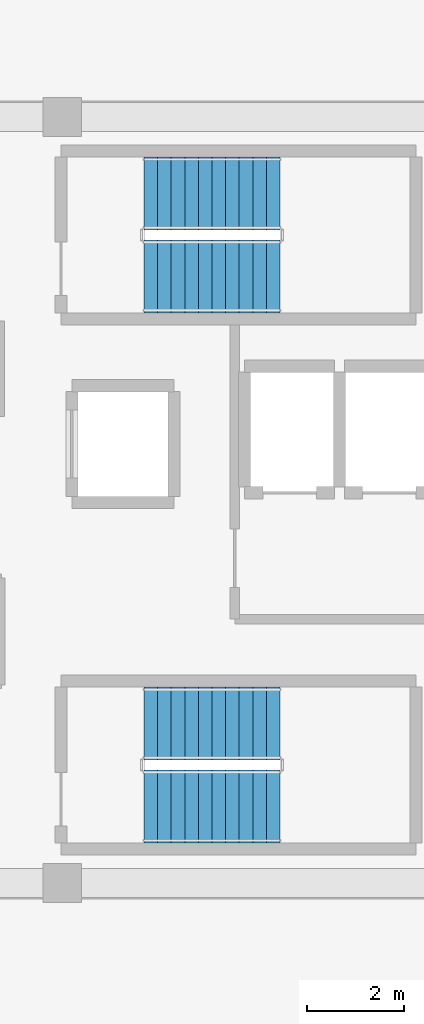
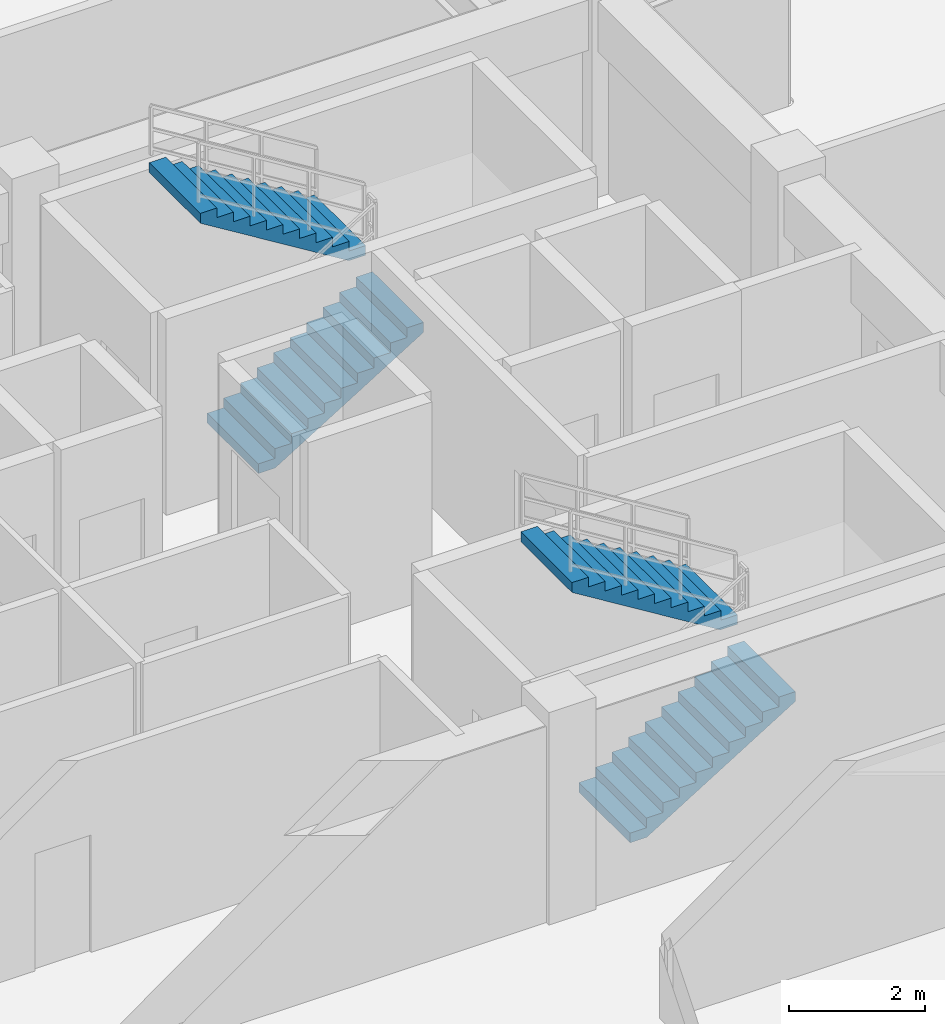
# One storey, part 6 of 9: 4 stair flights, 2 elements without a shape of their own.
"""IFC4 building model written with IfcOpenShell, lengths in metres."""

from ifc_helpers import new_model, si_unit, direction, frame, origin, place, context, subcontext, project, spatial, polyline, outline, extrude, material, type_object, element, aggregate, save


model = new_model("IFC4")

# Units and contexts
model_context = context("Model", 3, precision=1e-05, world=origin(), true_north=direction((0.0, 1.0)))
body_context = subcontext(model_context, "Body", "Model", "MODEL_VIEW")
ifc_project = project(units=[si_unit("LENGTHUNIT", "METRE"), si_unit("AREAUNIT", "SQUARE_METRE"), si_unit("VOLUMEUNIT", "CUBIC_METRE"), si_unit("PLANEANGLEUNIT", "RADIAN"), si_unit("MASSUNIT", "GRAM", prefix="KILO")], contexts=[model_context])

# Site, building, storey
site_placement = place(None, origin())
site = spatial("IfcSite", under=ifc_project, at=site_placement, CompositionType="ELEMENT")
building_placement = place(site_placement, origin())
building = spatial("IfcBuilding", under=site, at=building_placement, Name="Zulverin Broadcast Headquarters", CompositionType="ELEMENT")
storey_placement = place(building_placement, frame((0.0, 0.0, 244.0)))
storey = spatial("IfcBuildingStorey", under=building, at=storey_placement, Name="L62", CompositionType="ELEMENT", Elevation=244.0)

# Stair, stair flights
ifc_material = material(Name="Concrete C40/50", Category="concrete")
stair_type = type_object("IfcStairType", Name="ST-CORE-1500", PredefinedType="HALF_TURN_STAIR", material=ifc_material)
stair_1_placement = place(storey_placement, origin())
stair_1 = element("IfcStair", 1, at=stair_1_placement, inside=storey, type_object=stair_type, Name="L62 Core Exit Stair ST-1", PredefinedType="HALF_TURN_STAIR")
stair_flight_type = type_object("IfcStairFlightType", Name="SF-CORE-1500", PredefinedType="STRAIGHT", material=ifc_material)
stair_flight_1_placement = place(storey_placement, frame((40.1298828125, 29.800048828125, 0.0), z_axis=(0.0, 0.0, 1.0), x_axis=(1.0, 0.0, 0.0)))
stair_flight_1 = element("IfcStairFlight", 2, at=stair_flight_1_placement, type_object=stair_flight_type, Name="ST-1 flight 1", NumberOfRisers=11, NumberOfTreads=10, PredefinedType="STRAIGHT", RiserHeight=0.172727273, TreadLength=0.28, context=body_context, shape_type="SweptSolid", body=[
    extrude(outline(polyline([(0.0, 0.0), (0.0, 0.172607421875), (0.280029296875, 0.172607421875), (0.280029296875, 0.345458984375), (0.56005859375, 0.345458984375), (0.56005859375, 0.51806640625), (0.840087890625, 0.51806640625), (0.840087890625, 0.69091796875), (1.1201171875, 0.69091796875), (1.1201171875, 0.863525390625), (1.39990234375, 0.863525390625), (1.39990234375, 1.036376953125), (1.679931640625, 1.036376953125), (1.679931640625, 1.208984375), (1.9599609375, 1.208984375), (1.9599609375, 1.3818359375), (2.239990234375, 1.3818359375), (2.239990234375, 1.554443359375), (2.52001953125, 1.554443359375), (2.52001953125, 1.727294921875), (2.800048828125, 1.727294921875), (2.800048828125, 1.89990234375), (2.800048828125, 1.551025390625), (0.285400390625, 0.0), (0.0, 0.0)])), frame((0.0, 0.75, 0.0), z_axis=(0.0, -1.0, 0.0), x_axis=(1.0, 0.0, 0.0)), (0.0, 0.0, 1.0), 1.5),
])
stair_flight_2_placement = place(storey_placement, frame((42.929931640625, 31.5, 1.89990234375), z_axis=(0.0, 0.0, 1.0), x_axis=(-1.0, 0.0, 0.0)))
stair_flight_2 = element("IfcStairFlight", 3, at=stair_flight_2_placement, type_object=stair_flight_type, Name="ST-1 flight 2", NumberOfRisers=11, NumberOfTreads=10, PredefinedType="STRAIGHT", RiserHeight=0.172727273, TreadLength=0.28, context=body_context, shape_type="SweptSolid", body=[
    extrude(outline(polyline([(0.0, 0.0), (0.0, 0.172607421875), (0.280029296875, 0.172607421875), (0.280029296875, 0.345458984375), (0.56005859375, 0.345458984375), (0.56005859375, 0.51806640625), (0.840087890625, 0.51806640625), (0.840087890625, 0.69091796875), (1.1201171875, 0.69091796875), (1.1201171875, 0.863525390625), (1.39990234375, 0.863525390625), (1.39990234375, 1.036376953125), (1.679931640625, 1.036376953125), (1.679931640625, 1.208984375), (1.9599609375, 1.208984375), (1.9599609375, 1.3818359375), (2.239990234375, 1.3818359375), (2.239990234375, 1.554443359375), (2.52001953125, 1.554443359375), (2.52001953125, 1.727294921875), (2.800048828125, 1.727294921875), (2.800048828125, 1.89990234375), (2.800048828125, 1.551025390625), (0.285400390625, 0.0), (0.0, 0.0)])), frame((0.0, 0.75, 0.0), z_axis=(0.0, -1.0, 0.0), x_axis=(1.0, 0.0, 0.0)), (0.0, 0.0, 1.0), 1.5),
])
aggregate(stair_1, [stair_flight_1, stair_flight_2])

stair_2_placement = place(storey_placement, origin())
stair_2 = element("IfcStair", 4, at=stair_2_placement, inside=storey, type_object=stair_type, Name="L62 Core Exit Stair ST-2", PredefinedType="HALF_TURN_STAIR")
stair_flight_3_placement = place(storey_placement, frame((40.1298828125, 18.89990234375, 0.0), z_axis=(0.0, 0.0, 1.0), x_axis=(1.0, 0.0, 0.0)))
stair_flight_3 = element("IfcStairFlight", 5, at=stair_flight_3_placement, type_object=stair_flight_type, Name="ST-2 flight 1", NumberOfRisers=11, NumberOfTreads=10, PredefinedType="STRAIGHT", RiserHeight=0.172727273, TreadLength=0.28, context=body_context, shape_type="SweptSolid", body=[
    extrude(outline(polyline([(0.0, 0.0), (0.0, 0.172607421875), (0.280029296875, 0.172607421875), (0.280029296875, 0.345458984375), (0.56005859375, 0.345458984375), (0.56005859375, 0.51806640625), (0.840087890625, 0.51806640625), (0.840087890625, 0.69091796875), (1.1201171875, 0.69091796875), (1.1201171875, 0.863525390625), (1.39990234375, 0.863525390625), (1.39990234375, 1.036376953125), (1.679931640625, 1.036376953125), (1.679931640625, 1.208984375), (1.9599609375, 1.208984375), (1.9599609375, 1.3818359375), (2.239990234375, 1.3818359375), (2.239990234375, 1.554443359375), (2.52001953125, 1.554443359375), (2.52001953125, 1.727294921875), (2.800048828125, 1.727294921875), (2.800048828125, 1.89990234375), (2.800048828125, 1.551025390625), (0.285400390625, 0.0), (0.0, 0.0)])), frame((0.0, 0.75, 0.0), z_axis=(0.0, -1.0, 0.0), x_axis=(1.0, 0.0, 0.0)), (0.0, 0.0, 1.0), 1.5),
])
stair_flight_4_placement = place(storey_placement, frame((42.929931640625, 20.60009765625, 1.89990234375), z_axis=(0.0, 0.0, 1.0), x_axis=(-1.0, 0.0, 0.0)))
stair_flight_4 = element("IfcStairFlight", 6, at=stair_flight_4_placement, type_object=stair_flight_type, Name="ST-2 flight 2", NumberOfRisers=11, NumberOfTreads=10, PredefinedType="STRAIGHT", RiserHeight=0.172727273, TreadLength=0.28, context=body_context, shape_type="SweptSolid", body=[
    extrude(outline(polyline([(0.0, 0.0), (0.0, 0.172607421875), (0.280029296875, 0.172607421875), (0.280029296875, 0.345458984375), (0.56005859375, 0.345458984375), (0.56005859375, 0.51806640625), (0.840087890625, 0.51806640625), (0.840087890625, 0.69091796875), (1.1201171875, 0.69091796875), (1.1201171875, 0.863525390625), (1.39990234375, 0.863525390625), (1.39990234375, 1.036376953125), (1.679931640625, 1.036376953125), (1.679931640625, 1.208984375), (1.9599609375, 1.208984375), (1.9599609375, 1.3818359375), (2.239990234375, 1.3818359375), (2.239990234375, 1.554443359375), (2.52001953125, 1.554443359375), (2.52001953125, 1.727294921875), (2.800048828125, 1.727294921875), (2.800048828125, 1.89990234375), (2.800048828125, 1.551025390625), (0.285400390625, 0.0), (0.0, 0.0)])), frame((0.0, 0.75, 0.0), z_axis=(0.0, -1.0, 0.0), x_axis=(1.0, 0.0, 0.0)), (0.0, 0.0, 1.0), 1.5),
])
aggregate(stair_2, [stair_flight_3, stair_flight_4])

save(model, "model.ifc")
